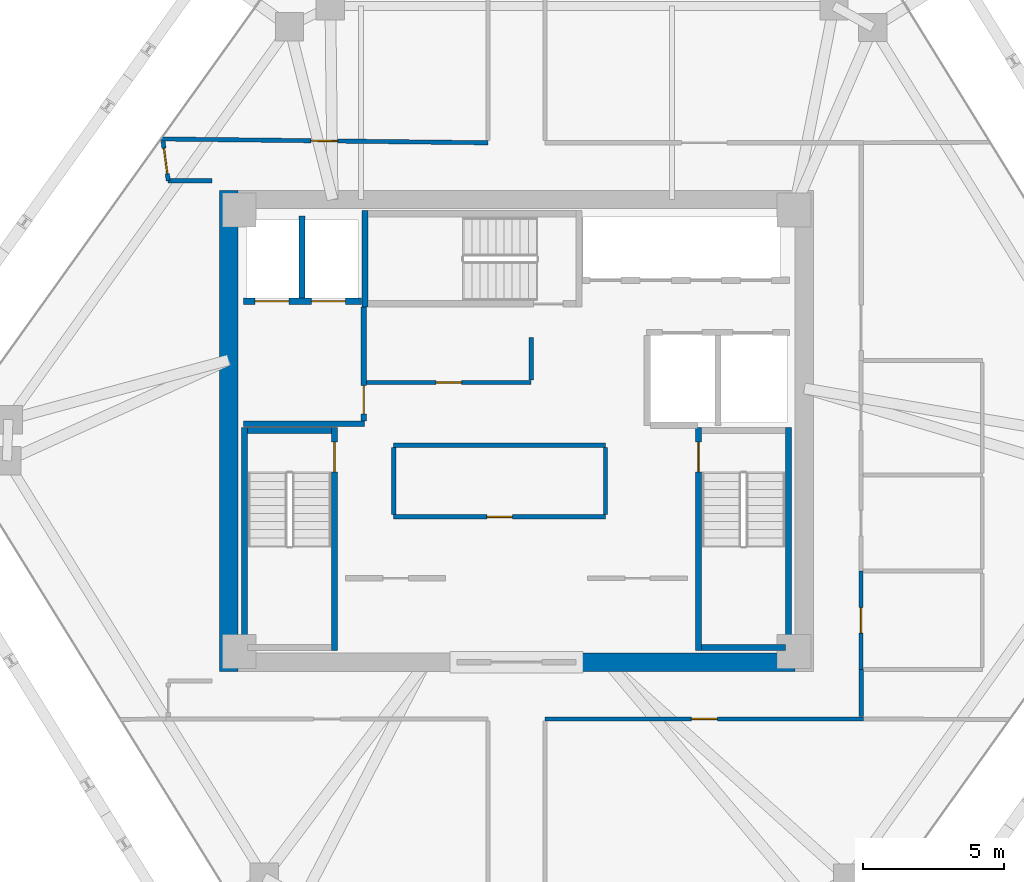
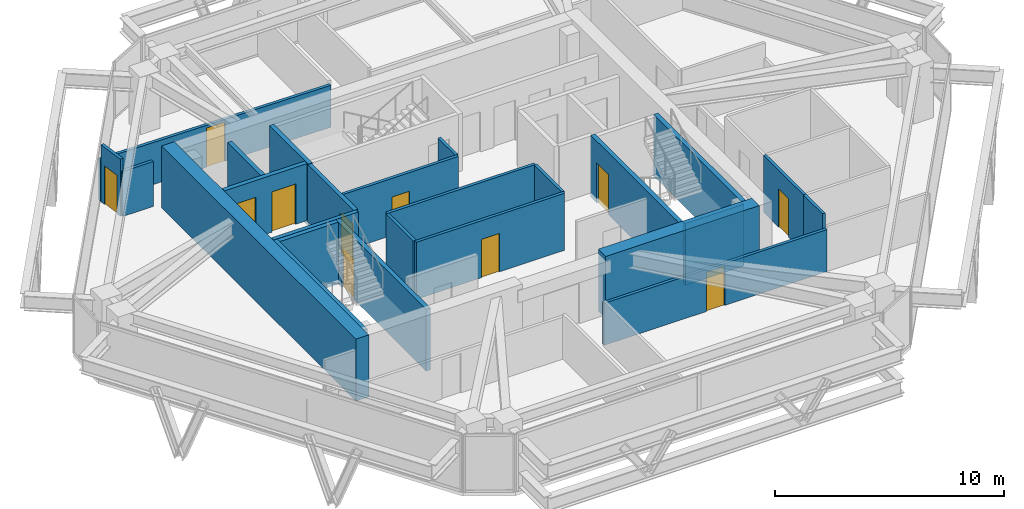
# One storey, part 8 of 11: 25 walls, 11 doors, 11 openings.
"""IFC4 building model written with IfcOpenShell, lengths in metres."""

from ifc_helpers import new_model, si_unit, direction, frame, frame_2d, origin, place, context, subcontext, project, spatial, rectangle, extrude, source, transform, mapped, material, layer, layer_set, type_object, type_shapes, element, fill, save


model = new_model("IFC4")

# Units and contexts
model_context = context("Model", 3, precision=1e-05, world=origin(), true_north=direction((0.0, 1.0)))
body_context = subcontext(model_context, "Body", "Model", "MODEL_VIEW")
ifc_project = project(units=[si_unit("LENGTHUNIT", "METRE"), si_unit("AREAUNIT", "SQUARE_METRE"), si_unit("VOLUMEUNIT", "CUBIC_METRE"), si_unit("PLANEANGLEUNIT", "RADIAN"), si_unit("MASSUNIT", "GRAM", prefix="KILO")], contexts=[model_context])

# Site, building, storey
site_placement = place(None, origin())
site = spatial("IfcSite", under=ifc_project, at=site_placement, CompositionType="ELEMENT")
building_placement = place(site_placement, origin())
building = spatial("IfcBuilding", under=site, at=building_placement, Name="Durnholm Broadcast Tower", CompositionType="ELEMENT")
storey_placement = place(building_placement, frame((0.0, 0.0, 170.5)))
storey = spatial("IfcBuildingStorey", under=building, at=storey_placement, Name="L46", CompositionType="ELEMENT", Elevation=170.5)

# Walls
ifc_material_1 = material(Name="Concrete C70/85", Category="concrete")
ifc_layer_1 = layer(ifc_material_1, 0.64990234375)
ifc_layer_set_1 = layer_set([ifc_layer_1], Name="Concrete C70/85")
wall_type_1 = type_object("IfcWallType", Name="WALL-CW-650", PredefinedType="SHEAR", material=ifc_layer_set_1)
wall_1_placement = place(storey_placement, frame((-10.175048828125, -8.5, 0.0), z_axis=(0.0, 0.0, 1.0), x_axis=(0.0, 1.0, 0.0)))
element("IfcWall", 1, at=wall_1_placement, inside=storey, type_object=wall_type_1, Name="L46 central core shear wall CW-WEST", PredefinedType="SHEAR", context=body_context, shape_type="SweptSolid", body=[
    extrude(rectangle(XDim=17.0, YDim=0.64990234375, at=frame_2d((8.5, 0.0))), origin(), (0.0, 0.0, 1.0), 3.300048828125),
])
wall_2_placement = place(storey_placement, frame((2.10009765625, -8.175048828125, 0.0), z_axis=(0.0, 0.0, 1.0), x_axis=(1.0, 0.0, 0.0)))
element("IfcWall", 2, at=wall_2_placement, inside=storey, type_object=wall_type_1, Name="L46 central core shear wall CW-S2", PredefinedType="SHEAR", context=body_context, shape_type="SweptSolid", body=[
    extrude(rectangle(XDim=7.75, YDim=0.64990234375, at=frame_2d((3.875, 0.0))), origin(), (0.0, 0.0, 1.0), 3.300048828125),
])
ifc_material_2 = material(Name="Fire-Rated Gypsum Shaftwall", Category="concrete")
ifc_layer_2 = layer(ifc_material_2, 0.199951171875)
ifc_layer_set_2 = layer_set([ifc_layer_2], Name="Fire-Rated Gypsum Shaftwall")
wall_type_2 = type_object("IfcWallType", Name="WALL-LOB-200", PredefinedType="SOLIDWALL", material=ifc_layer_set_2)
wall_3_placement = place(storey_placement, frame((-9.64990234375, 0.25, 0.0), z_axis=(0.0, 0.0, 1.0), x_axis=(1.0, 0.0, 0.0)))
element("IfcWall", 3, at=wall_3_placement, inside=storey, type_object=wall_type_2, Name="L46 Fire Service Access Elevator lobby south wall", PredefinedType="SOLIDWALL", context=body_context, shape_type="SweptSolid", body=[
    extrude(rectangle(XDim=4.27001953125, YDim=0.199951171875, at=frame_2d((2.135009765625, 0.0))), origin(), (0.0, 0.0, 1.0), 3.044921875),
])

# Wall, opening, door
wall_4_placement = place(storey_placement, frame((-5.39990234375, 0.35400390625, 0.0), z_axis=(0.0, 0.0, 1.0), x_axis=(0.0, 1.0, 0.0)))
wall_4 = element("IfcWall", 4, at=wall_4_placement, inside=storey, type_object=wall_type_2, Name="L46 Fire Service Access Elevator lobby east fire wall", PredefinedType="SOLIDWALL", context=body_context, shape_type="SweptSolid", body=[
    extrude(rectangle(XDim=4.02587890625, YDim=0.199951171875, at=frame_2d((2.012939453125, 0.0))), origin(), (0.0, 0.0, 1.0), 3.044921875),
])
opening_1_placement = place(wall_4_placement, frame((0.24609375, 0.0, 0.0)))
opening_1 = element("IfcOpeningElement", 5, at=opening_1_placement, cuts=wall_4, Name="Opening DL-60L", PredefinedType="OPENING", context=body_context, shape_type="SweptSolid", body=[
    extrude(rectangle(XDim=1.0, YDim=2.14990234375, at=frame_2d((0.5, 1.074951171875))), frame((0.0, 0.10986328125, 0.0), z_axis=(0.0, -1.0, 0.0), x_axis=(1.0, 0.0, 0.0)), (0.0, 0.0, 1.0), 0.219970703125),
])
ifc_material_3 = material(Name="Fire-Rated Timber/Steel Door", Category="steel")
ifc_layer_3 = layer(ifc_material_3, 0.050048828125)
ifc_layer_set_3 = layer_set([ifc_layer_3], Name="Fire-Rated Timber/Steel Door")
door_type_1 = type_object("IfcDoorType", Name="DOOR-LOB-FD60-L", OperationType="NOTDEFINED", PredefinedType="DOOR", material=ifc_layer_set_3)
shared_shape_1 = source(origin(), body_context, "Body", "SweptSolid", [
    extrude(rectangle(XDim=1.0, YDim=2.14990234375, at=frame_2d((0.5, 1.074951171875))), frame((0.0, 0.02490234375, 0.0), z_axis=(0.0, -1.0, 0.0), x_axis=(1.0, 0.0, 0.0)), (0.0, 0.0, 1.0), 0.050048828125),
])
type_shapes(door_type_1, [shared_shape_1])
door_1_placement = place(opening_1_placement, origin())
door_1 = element("IfcDoor", 6, at=door_1_placement, inside=storey, type_object=door_type_1, Name="L46 Fire Service Access Elevator lobby smoke door", OperationType="SINGLE_SWING_LEFT", OverallHeight=2.14990234375, OverallWidth=1.0, PredefinedType="DOOR", context=body_context, shape_type="MappedRepresentation", body=[
    mapped(shared_shape_1, transform((0.0, 0.0, 0.0), x_axis=(1.0, 0.0, 0.0), y_axis=(0.0, 1.0, 0.0), z_axis=(0.0, 0.0, 1.0), scale=1.0)),
])
fill(opening_1, door_1)

ifc_material_4 = material(Name="Acoustic Gypsum Stud Partition", Category="concrete")
ifc_layer_4 = layer(ifc_material_4, 0.14990234375)
ifc_layer_set_4 = layer_set([ifc_layer_4], Name="Acoustic Gypsum Stud Partition")
wall_type_3 = type_object("IfcWallType", Name="WALL-PART-150", PredefinedType="PARTITIONING", material=ifc_layer_set_4)
wall_5_placement = place(storey_placement, frame((3.139892578125, -3.0400390625, 0.0), z_axis=(0.0, 0.0, 1.0), x_axis=(-1.0, 0.0, 0.0)))
wall_5 = element("IfcWall", 7, at=wall_5_placement, inside=storey, type_object=wall_type_3, Name="L46 Broadcast Equipment Pantry corridor partition", PredefinedType="PARTITIONING", context=body_context, shape_type="SweptSolid", body=[
    extrude(rectangle(XDim=7.47998046875, YDim=0.14990234375, at=frame_2d((3.739990234375, 0.0))), origin(), (0.0, 0.0, 1.0), 3.044921875),
])
opening_2_placement = place(wall_5_placement, frame((3.2900390625, 0.0, 0.0)))
opening_2 = element("IfcOpeningElement", 8, at=opening_2_placement, cuts=wall_5, Name="Opening DC-60R", PredefinedType="OPENING", context=body_context, shape_type="SweptSolid", body=[
    extrude(rectangle(XDim=0.89990234375, YDim=2.050048828125, at=frame_2d((0.449951171875, 1.02490234375))), frame((0.0, 0.0849609375, 0.0), z_axis=(0.0, -1.0, 0.0), x_axis=(1.0, 0.0, 0.0)), (0.0, 0.0, 1.0), 0.169921875),
])
ifc_material_5 = material(Name="Fire-Rated Core Service Door", Category="steel")
ifc_layer_5 = layer(ifc_material_5, 0.050048828125)
ifc_layer_set_5 = layer_set([ifc_layer_5], Name="Fire-Rated Core Service Door")
door_type_2 = type_object("IfcDoorType", Name="DOOR-CORE-FD60-R", OperationType="NOTDEFINED", PredefinedType="DOOR", material=ifc_layer_set_5)
shared_shape_2 = source(origin(), body_context, "Body", "SweptSolid", [
    extrude(rectangle(XDim=0.89990234375, YDim=2.050048828125, at=frame_2d((0.449951171875, 1.02490234375))), frame((0.0, 0.02490234375, 0.0), z_axis=(0.0, -1.0, 0.0), x_axis=(1.0, 0.0, 0.0)), (0.0, 0.0, 1.0), 0.050048828125),
])
type_shapes(door_type_2, [shared_shape_2])
door_2_placement = place(opening_2_placement, origin())
door_2 = element("IfcDoor", 9, at=door_2_placement, inside=storey, type_object=door_type_2, Name="L46 Broadcast Equipment Pantry entrance door", OperationType="SINGLE_SWING_RIGHT", OverallHeight=2.050048828125, OverallWidth=0.89990234375, PredefinedType="DOOR", context=body_context, shape_type="MappedRepresentation", body=[
    mapped(shared_shape_2, transform((0.0, 0.0, 0.0), x_axis=(1.0, 0.0, 0.0), y_axis=(0.0, 1.0, 0.0), z_axis=(0.0, 0.0, 1.0), scale=1.0)),
])
fill(opening_2, door_2)

# Walls
wall_6_placement = place(storey_placement, frame((-4.340087890625, -0.510009765625, 0.0), z_axis=(0.0, 0.0, 1.0), x_axis=(1.0, 0.0, 0.0)))
element("IfcWall", 10, at=wall_6_placement, inside=storey, type_object=wall_type_3, Name="L46 Broadcast Equipment Pantry corridor partition", PredefinedType="PARTITIONING", context=body_context, shape_type="SweptSolid", body=[
    extrude(rectangle(XDim=7.47998046875, YDim=0.14990234375, at=frame_2d((3.739990234375, 0.0))), origin(), (0.0, 0.0, 1.0), 3.044921875),
])
for number, where, z_axis, x_axis, name in (
    (11, (-4.340087890625, -2.9609375, 0.0), (0.0, 0.0, 1.0), (0.0, 1.0, 0.0), "L46 Broadcast Equipment Pantry corridor partition"),
    (12, (3.139892578125, -0.589111328125, 0.0), (0.0, 0.0, 1.0), (0.0, -1.0, 0.0), "L46 Broadcast Equipment Pantry corridor partition"),
):
    element("IfcWall", number, at=place(storey_placement, frame(where, z_axis=z_axis, x_axis=x_axis)), inside=storey, type_object=wall_type_3, Name=name, PredefinedType="PARTITIONING", context=body_context, shape_type="SweptSolid", body=[
        extrude(rectangle(XDim=2.371826171875, YDim=0.14990234375, at=frame_2d((1.18603515625, 0.0))), origin(), (0.0, 0.0, 1.0), 3.044921875),
    ])

# Wall, opening, door
wall_7_placement = place(storey_placement, frame((0.52001953125, 1.7099609375, 0.0), z_axis=(0.0, 0.0, 1.0), x_axis=(-1.0, 0.0, 0.0)))
wall_7 = element("IfcWall", 13, at=wall_7_placement, inside=storey, type_object=wall_type_3, Name="L46 Core Housekeeping Room corridor partition", PredefinedType="PARTITIONING", context=body_context, shape_type="SweptSolid", body=[
    extrude(rectangle(XDim=5.81591796875, YDim=0.14990234375, at=frame_2d((2.907958984375, 0.0))), origin(), (0.0, 0.0, 1.0), 3.044921875),
])
opening_3_placement = place(wall_7_placement, frame((2.4580078125, 0.0, 0.0)))
opening_3 = element("IfcOpeningElement", 14, at=opening_3_placement, cuts=wall_7, Name="Opening DC-60L", PredefinedType="OPENING", context=body_context, shape_type="SweptSolid", body=[
    extrude(rectangle(XDim=0.89990234375, YDim=2.050048828125, at=frame_2d((0.449951171875, 1.02490234375))), frame((0.0, 0.0849609375, 0.0), z_axis=(0.0, -1.0, 0.0), x_axis=(1.0, 0.0, 0.0)), (0.0, 0.0, 1.0), 0.169921875),
])
ifc_layer_6 = layer(ifc_material_5, 0.050048828125)
ifc_layer_set_6 = layer_set([ifc_layer_6], Name="Fire-Rated Core Service Door")
door_type_3 = type_object("IfcDoorType", Name="DOOR-CORE-FD60-L", OperationType="NOTDEFINED", PredefinedType="DOOR", material=ifc_layer_set_6)
shared_shape_3 = source(origin(), body_context, "Body", "SweptSolid", [
    extrude(rectangle(XDim=0.89990234375, YDim=2.050048828125, at=frame_2d((0.449951171875, 1.02490234375))), frame((0.0, 0.02490234375, 0.0), z_axis=(0.0, -1.0, 0.0), x_axis=(1.0, 0.0, 0.0)), (0.0, 0.0, 1.0), 0.050048828125),
])
type_shapes(door_type_3, [shared_shape_3])
door_3_placement = place(opening_3_placement, origin())
door_3 = element("IfcDoor", 15, at=door_3_placement, inside=storey, type_object=door_type_3, Name="L46 Core Housekeeping Room entrance door", OperationType="SINGLE_SWING_LEFT", OverallHeight=2.050048828125, OverallWidth=0.89990234375, PredefinedType="DOOR", context=body_context, shape_type="MappedRepresentation", body=[
    mapped(shared_shape_3, transform((0.0, 0.0, 0.0), x_axis=(1.0, 0.0, 0.0), y_axis=(0.0, 1.0, 0.0), z_axis=(0.0, 0.0, 1.0), scale=1.0)),
])
fill(opening_3, door_3)

# Wall
wall_8_placement = place(storey_placement, frame((0.52001953125, 3.300048828125, 0.0), z_axis=(0.0, 0.0, 1.0), x_axis=(0.0, -1.0, 0.0)))
element("IfcWall", 16, at=wall_8_placement, inside=storey, type_object=wall_type_3, Name="L46 Core Housekeeping Room corridor partition", PredefinedType="PARTITIONING", context=body_context, shape_type="SweptSolid", body=[
    extrude(rectangle(XDim=1.510986328125, YDim=0.14990234375, at=frame_2d((0.75537109375, 0.0))), origin(), (0.0, 0.0, 1.0), 3.044921875),
])

# Wall, opening, door
wall_9_placement = place(storey_placement, frame((-1.010009765625, 10.179931640625, 0.0), z_axis=(0.0, 0.0, 1.0), x_axis=(-0.999931176304, 0.011732120664, 0.0)))
wall_9 = element("IfcWall", 17, at=wall_9_placement, inside=storey, type_object=wall_type_3, Name="L46 Open Plan Broadcast Workspace 2 corridor partition", PredefinedType="PARTITIONING", context=body_context, shape_type="SweptSolid", body=[
    extrude(rectangle(XDim=11.570068359375, YDim=0.14990234375, at=frame_2d((5.78515625, 0.0))), origin(), (0.0, 0.0, 1.0), 2.24169921875),
])
opening_4_placement = place(wall_9_placement, frame((5.31005859375, 0.0, 0.0)))
opening_4 = element("IfcOpeningElement", 18, at=opening_4_placement, cuts=wall_9, Name="Opening DR-95L", PredefinedType="OPENING", context=body_context, shape_type="SweptSolid", body=[
    extrude(rectangle(XDim=0.949951171875, YDim=2.10009765625, at=frame_2d((0.47509765625, 1.050048828125))), frame((0.0, 0.0849609375, 0.0), z_axis=(0.0, -1.0, 0.0), x_axis=(1.0, 0.0, 0.0)), (0.0, 0.0, 1.0), 0.169921875),
])
ifc_material_6 = material(Name="Acoustic Oak Veneer Timber Door", Category="wood")
ifc_layer_7 = layer(ifc_material_6, 0.050048828125)
ifc_layer_set_7 = layer_set([ifc_layer_7], Name="Acoustic Oak Veneer Timber Door")
door_type_4 = type_object("IfcDoorType", Name="DOOR-RM-950L", OperationType="NOTDEFINED", PredefinedType="DOOR", material=ifc_layer_set_7)
shared_shape_4 = source(origin(), body_context, "Body", "SweptSolid", [
    extrude(rectangle(XDim=0.949951171875, YDim=2.10009765625, at=frame_2d((0.47509765625, 1.050048828125))), frame((0.0, 0.02490234375, 0.0), z_axis=(0.0, -1.0, 0.0), x_axis=(1.0, 0.0, 0.0)), (0.0, 0.0, 1.0), 0.050048828125),
])
type_shapes(door_type_4, [shared_shape_4])
door_4_placement = place(opening_4_placement, origin())
door_4 = element("IfcDoor", 19, at=door_4_placement, inside=storey, type_object=door_type_4, Name="L46 Open Plan Broadcast Workspace 2 entrance door", OperationType="SINGLE_SWING_LEFT", OverallHeight=2.10009765625, OverallWidth=0.949951171875, PredefinedType="DOOR", context=body_context, shape_type="MappedRepresentation", body=[
    mapped(shared_shape_4, transform((0.0, 0.0, 0.0), x_axis=(1.0, 0.0, 0.0), y_axis=(0.0, 1.0, 0.0), z_axis=(0.0, 0.0, 1.0), scale=1.0)),
])
fill(opening_4, door_4)

wall_10_placement = place(storey_placement, frame((1.010009765625, -10.179931640625, 0.0), z_axis=(0.0, 0.0, 1.0), x_axis=(1.0, 0.0, 0.0)))
wall_10 = element("IfcWall", 20, at=wall_10_placement, inside=storey, type_object=wall_type_3, Name="L46 Lab Catering Kitchen corridor partition", PredefinedType="PARTITIONING", context=body_context, shape_type="SweptSolid", body=[
    extrude(rectangle(XDim=11.25, YDim=0.14990234375, at=frame_2d((5.625, 0.0))), origin(), (0.0, 0.0, 1.0), 2.24169921875),
])
opening_5_placement = place(wall_10_placement, frame((5.1650390625, 0.0, 0.0)))
opening_5 = element("IfcOpeningElement", 21, at=opening_5_placement, cuts=wall_10, Name="Opening DR-92R", PredefinedType="OPENING", context=body_context, shape_type="SweptSolid", body=[
    extrude(rectangle(XDim=0.919921875, YDim=2.10009765625, at=frame_2d((0.4599609375, 1.050048828125))), frame((0.0, 0.0849609375, 0.0), z_axis=(0.0, -1.0, 0.0), x_axis=(1.0, 0.0, 0.0)), (0.0, 0.0, 1.0), 0.169921875),
])
ifc_material_7 = material(Name="Oak Veneer Office Door", Category="wood")
ifc_layer_8 = layer(ifc_material_7, 0.050048828125)
ifc_layer_set_8 = layer_set([ifc_layer_8], Name="Oak Veneer Office Door")
door_type_5 = type_object("IfcDoorType", Name="DOOR-RM-920R", OperationType="NOTDEFINED", PredefinedType="DOOR", material=ifc_layer_set_8)
shared_shape_5 = source(origin(), body_context, "Body", "SweptSolid", [
    extrude(rectangle(XDim=0.919921875, YDim=2.10009765625, at=frame_2d((0.4599609375, 1.050048828125))), frame((0.0, 0.02490234375, 0.0), z_axis=(0.0, -1.0, 0.0), x_axis=(1.0, 0.0, 0.0)), (0.0, 0.0, 1.0), 0.050048828125),
])
type_shapes(door_type_5, [shared_shape_5])
door_5_placement = place(opening_5_placement, origin())
door_5 = element("IfcDoor", 22, at=door_5_placement, inside=storey, type_object=door_type_5, Name="L46 Lab Catering Kitchen entrance door", OperationType="SINGLE_SWING_RIGHT", OverallHeight=2.10009765625, OverallWidth=0.919921875, PredefinedType="DOOR", context=body_context, shape_type="MappedRepresentation", body=[
    mapped(shared_shape_5, transform((0.0, 0.0, 0.0), x_axis=(1.0, 0.0, 0.0), y_axis=(0.0, 1.0, 0.0), z_axis=(0.0, 0.0, 1.0), scale=1.0)),
])
fill(opening_5, door_5)

# Wall
wall_11_placement = place(storey_placement, frame((-12.31005859375, 8.840087890625, 0.0), z_axis=(0.0, 0.0, 1.0), x_axis=(1.0, 0.0, 0.0)))
element("IfcWall", 23, at=wall_11_placement, inside=storey, type_object=wall_type_3, Name="L46 Digital Media Hall corridor partition", PredefinedType="PARTITIONING", context=body_context, shape_type="SweptSolid", body=[
    extrude(rectangle(XDim=1.550048828125, YDim=0.14990234375, at=frame_2d((0.77490234375, 0.0))), origin(), (0.0, 0.0, 1.0), 2.398681640625),
])

# Wall, opening, door
wall_12_placement = place(storey_placement, frame((-12.4921875, 10.235595703125, 0.0), z_axis=(0.0, 0.0, 1.0), x_axis=(0.129413346452, -0.991590735011, 0.0)))
wall_12 = element("IfcWall", 24, at=wall_12_placement, inside=storey, type_object=wall_type_3, Name="L46 Digital Media Hall corridor partition", PredefinedType="PARTITIONING", context=body_context, shape_type="SweptSolid", body=[
    extrude(rectangle(XDim=1.4072265625, YDim=0.14990234375, at=frame_2d((0.70361328125, 0.0))), origin(), (0.0, 0.0, 1.0), 3.044921875),
])
opening_6_placement = place(wall_12_placement, frame((0.253662109375, 0.0, 0.0)))
opening_6 = element("IfcOpeningElement", 25, at=opening_6_placement, cuts=wall_12, Name="Opening DW-90R", PredefinedType="OPENING", context=body_context, shape_type="SweptSolid", body=[
    extrude(rectangle(XDim=0.89990234375, YDim=2.050048828125, at=frame_2d((0.449951171875, 1.02490234375))), frame((0.0, 0.0849609375, 0.0), z_axis=(0.0, -1.0, 0.0), x_axis=(1.0, 0.0, 0.0)), (0.0, 0.0, 1.0), 0.169921875),
])
ifc_material_8 = material(Name="Laminate Restroom Door", Category="steel")
ifc_layer_9 = layer(ifc_material_8, 0.050048828125)
ifc_layer_set_9 = layer_set([ifc_layer_9], Name="Laminate Restroom Door")
door_type_6 = type_object("IfcDoorType", Name="DOOR-WC-900R", OperationType="NOTDEFINED", PredefinedType="DOOR", material=ifc_layer_set_9)
shared_shape_6 = source(origin(), body_context, "Body", "SweptSolid", [
    extrude(rectangle(XDim=0.89990234375, YDim=2.050048828125, at=frame_2d((0.449951171875, 1.02490234375))), frame((0.0, 0.02490234375, 0.0), z_axis=(0.0, -1.0, 0.0), x_axis=(1.0, 0.0, 0.0)), (0.0, 0.0, 1.0), 0.050048828125),
])
type_shapes(door_type_6, [shared_shape_6])
door_6_placement = place(opening_6_placement, origin())
door_6 = element("IfcDoor", 26, at=door_6_placement, inside=storey, type_object=door_type_6, Name="L46 Digital Media Hall entrance door", OperationType="SINGLE_SWING_RIGHT", OverallHeight=2.050048828125, OverallWidth=0.89990234375, PredefinedType="DOOR", context=body_context, shape_type="MappedRepresentation", body=[
    mapped(shared_shape_6, transform((0.0, 0.0, 0.0), x_axis=(1.0, 0.0, 0.0), y_axis=(0.0, 1.0, 0.0), z_axis=(0.0, 0.0, 1.0), scale=1.0)),
])
fill(opening_6, door_6)

# Wall
wall_13_placement = place(storey_placement, frame((12.179931640625, -10.10107421875, 0.0), z_axis=(0.0, 0.0, 1.0), x_axis=(0.0, 1.0, 0.0)))
element("IfcWall", 27, at=wall_13_placement, inside=storey, type_object=wall_type_3, Name="L46 Immersive Audio Auditorium corridor partition", PredefinedType="PARTITIONING", context=body_context, shape_type="SweptSolid", body=[
    extrude(rectangle(XDim=1.6611328125, YDim=0.14990234375, at=frame_2d((0.83056640625, 0.0))), origin(), (0.0, 0.0, 1.0), 3.044921875),
])

# Wall, openings, doors
ifc_material_9 = material(Name="Concrete Blockwork C30/37", Category="masonry")
ifc_layer_10 = layer(ifc_material_9, 0.219970703125)
ifc_layer_set_10 = layer_set([ifc_layer_10], Name="Concrete Blockwork C30/37")
wall_type_4 = type_object("IfcWallType", Name="WALL-SHAFT-220", PredefinedType="SOLIDWALL", material=ifc_layer_set_10)
wall_14_placement = place(storey_placement, frame((-9.64990234375, 4.580078125, 0.0), z_axis=(0.0, 0.0, 1.0), x_axis=(1.0, 0.0, 0.0)))
wall_14 = element("IfcWall", 28, at=wall_14_placement, inside=storey, type_object=wall_type_4, Name="L46 FSAE hoistway front fire wall", PredefinedType="SOLIDWALL", context=body_context, shape_type="SweptSolid", body=[
    extrude(rectangle(XDim=4.1748046875, YDim=0.219970703125, at=frame_2d((2.08740234375, 0.0))), origin(), (0.0, 0.0, 1.0), 3.044921875),
])
opening_7_placement = place(wall_14_placement, frame((0.39990234375, 0.0, 0.0)))
opening_7 = element("IfcOpeningElement", 29, at=opening_7_placement, cuts=wall_14, Name="Opening LD-FSAE-2", PredefinedType="OPENING", context=body_context, shape_type="SweptSolid", body=[
    extrude(rectangle(XDim=1.199951171875, YDim=2.14990234375, at=frame_2d((0.60009765625, 1.074951171875))), frame((0.0, 0.1201171875, 0.0), z_axis=(0.0, -1.0, 0.0), x_axis=(1.0, 0.0, 0.0)), (0.0, 0.0, 1.0), 0.239990234375),
])
opening_8_placement = place(wall_14_placement, frame((2.39990234375, 0.0, 0.0)))
opening_8 = element("IfcOpeningElement", 30, at=opening_8_placement, cuts=wall_14, Name="Opening LD-FSAE-1", PredefinedType="OPENING", context=body_context, shape_type="SweptSolid", body=[
    extrude(rectangle(XDim=1.199951171875, YDim=2.14990234375, at=frame_2d((0.60009765625, 1.074951171875))), frame((0.0, 0.1201171875, 0.0), z_axis=(0.0, -1.0, 0.0), x_axis=(1.0, 0.0, 0.0)), (0.0, 0.0, 1.0), 0.239990234375),
])
ifc_material_10 = material(Name="Fire Service Access Sliding Landing Door", Category="steel")
ifc_layer_11 = layer(ifc_material_10, 0.050048828125)
ifc_layer_set_11 = layer_set([ifc_layer_11], Name="Fire Service Access Sliding Landing Door")
door_type_7 = type_object("IfcDoorType", Name="DOOR-LIFT-FSAE", OperationType="DOUBLE_DOOR_SLIDING", PredefinedType="DOOR", material=ifc_layer_set_11)
shared_shape_7 = source(origin(), body_context, "Body", "SweptSolid", [
    extrude(rectangle(XDim=1.199951171875, YDim=2.14990234375, at=frame_2d((0.60009765625, 1.074951171875))), frame((0.0, 0.02490234375, 0.0), z_axis=(0.0, -1.0, 0.0), x_axis=(1.0, 0.0, 0.0)), (0.0, 0.0, 1.0), 0.050048828125),
])
type_shapes(door_type_7, [shared_shape_7])
door_7_placement = place(opening_7_placement, origin())
door_7 = element("IfcDoor", 31, at=door_7_placement, inside=storey, type_object=door_type_7, Name="L46 Fire Service Access Elevator FSAE-2 sliding landing door", OperationType="DOUBLE_DOOR_SLIDING", OverallHeight=2.14990234375, OverallWidth=1.199951171875, PredefinedType="DOOR", context=body_context, shape_type="MappedRepresentation", body=[
    mapped(shared_shape_7, transform((0.0, 0.0, 0.0), x_axis=(1.0, 0.0, 0.0), y_axis=(0.0, 1.0, 0.0), z_axis=(0.0, 0.0, 1.0), scale=1.0)),
])
fill(opening_7, door_7)
door_8_placement = place(opening_8_placement, origin())
door_8 = element("IfcDoor", 32, at=door_8_placement, inside=storey, type_object=door_type_7, Name="L46 Fire Service Access Elevator FSAE-1 sliding landing door", OperationType="DOUBLE_DOOR_SLIDING", OverallHeight=2.14990234375, OverallWidth=1.199951171875, PredefinedType="DOOR", context=body_context, shape_type="MappedRepresentation", body=[
    mapped(shared_shape_7, transform((0.0, 0.0, 0.0), x_axis=(1.0, 0.0, 0.0), y_axis=(0.0, 1.0, 0.0), z_axis=(0.0, 0.0, 1.0), scale=1.0)),
])
fill(opening_8, door_8)

# Wall
wall_15_placement = place(storey_placement, frame((-7.580078125, 4.694091796875, 0.0), z_axis=(0.0, 0.0, 1.0), x_axis=(0.0, 1.0, 0.0)))
element("IfcWall", 33, at=wall_15_placement, inside=storey, type_object=wall_type_4, Name="L46 FSAE shaft divider wall", PredefinedType="SOLIDWALL", context=body_context, shape_type="SweptSolid", body=[
    extrude(rectangle(XDim=2.906005859375, YDim=0.219970703125, at=frame_2d((1.453125, 0.0))), origin(), (0.0, 0.0, 1.0), 3.044921875),
])

# Wall, opening, door
ifc_material_11 = material(Name="Concrete C50/60", Category="concrete")
ifc_layer_12 = layer(ifc_material_11, 0.219970703125)
ifc_layer_set_12 = layer_set([ifc_layer_12], Name="Concrete C50/60")
wall_type_5 = type_object("IfcWallType", Name="WALL-SW-220", PredefinedType="SHEAR", material=ifc_layer_set_12)
wall_16_placement = place(storey_placement, frame((-6.429931640625, -7.77001953125, -0.239990234375), z_axis=(0.0, 0.0, 1.0), x_axis=(0.0, 1.0, 0.0)))
wall_16 = element("IfcWall", 34, at=wall_16_placement, inside=storey, type_object=wall_type_5, Name="L46 stair ST-1 structural shaft wall E", PredefinedType="SHEAR", context=body_context, shape_type="SweptSolid", body=[
    extrude(rectangle(XDim=7.89013671875, YDim=0.219970703125, at=frame_2d((3.945068359375, 0.0))), origin(), (0.0, 0.0, 1.0), 3.300048828125),
])
opening_9_placement = place(wall_16_placement, frame((6.320068359375, 0.0, 0.0)))
opening_9 = element("IfcOpeningElement", 35, at=opening_9_placement, cuts=wall_16, Name="Opening DS-90L", PredefinedType="OPENING", context=body_context, shape_type="SweptSolid", body=[
    extrude(rectangle(XDim=1.050048828125, YDim=2.14990234375, at=frame_2d((0.52490234375, 1.074951171875))), frame((0.0, 0.1201171875, 0.0), z_axis=(0.0, -1.0, 0.0), x_axis=(1.0, 0.0, 0.0)), (0.0, 0.0, 1.0), 0.239990234375),
])
ifc_material_12 = material(Name="Fire-Rated Steel Door", Category="steel")
ifc_layer_13 = layer(ifc_material_12, 0.050048828125)
ifc_layer_set_13 = layer_set([ifc_layer_13], Name="Fire-Rated Steel Door")
door_type_8 = type_object("IfcDoorType", Name="DOOR-ST-FD90-L", OperationType="NOTDEFINED", PredefinedType="DOOR", material=ifc_layer_set_13)
shared_shape_8 = source(origin(), body_context, "Body", "SweptSolid", [
    extrude(rectangle(XDim=1.050048828125, YDim=2.14990234375, at=frame_2d((0.52490234375, 1.074951171875))), frame((0.0, 0.02490234375, 0.0), z_axis=(0.0, -1.0, 0.0), x_axis=(1.0, 0.0, 0.0)), (0.0, 0.0, 1.0), 0.050048828125),
])
type_shapes(door_type_8, [shared_shape_8])
door_9_placement = place(opening_9_placement, origin())
door_9 = element("IfcDoor", 36, at=door_9_placement, inside=storey, type_object=door_type_8, Name="L46 exit stair ST-1 fire door", OperationType="SINGLE_SWING_LEFT", OverallHeight=2.14990234375, OverallWidth=1.050048828125, PredefinedType="DOOR", context=body_context, shape_type="MappedRepresentation", body=[
    mapped(shared_shape_8, transform((0.0, 0.0, 0.0), x_axis=(1.0, 0.0, 0.0), y_axis=(0.0, 1.0, 0.0), z_axis=(0.0, 0.0, 1.0), scale=1.0)),
])
fill(opening_9, door_9)

# Walls
wall_17_placement = place(storey_placement, frame((-9.610107421875, 0.1201171875, -0.239990234375), z_axis=(0.0, 0.0, 1.0), x_axis=(0.0, -1.0, 0.0)))
element("IfcWall", 37, at=wall_17_placement, inside=storey, type_object=wall_type_5, Name="L46 stair ST-1 structural shaft wall W", PredefinedType="SHEAR", context=body_context, shape_type="SweptSolid", body=[
    extrude(rectangle(XDim=7.89013671875, YDim=0.219970703125, at=frame_2d((3.945068359375, 0.0))), origin(), (0.0, 0.0, 1.0), 3.300048828125),
])
wall_18_placement = place(storey_placement, frame((-6.5400390625, 0.010009765625, -0.239990234375), z_axis=(0.0, 0.0, 1.0), x_axis=(-1.0, 0.0, 0.0)))
element("IfcWall", 38, at=wall_18_placement, inside=storey, type_object=wall_type_5, Name="L46 stair ST-1 structural shaft wall N", PredefinedType="SHEAR", context=body_context, shape_type="SweptSolid", body=[
    extrude(rectangle(XDim=2.9599609375, YDim=0.219970703125, at=frame_2d((1.47998046875, 0.0))), origin(), (0.0, 0.0, 1.0), 3.300048828125),
])
wall_19_placement = place(storey_placement, frame((9.610107421875, -7.77001953125, -0.239990234375), z_axis=(0.0, 0.0, 1.0), x_axis=(0.0, 1.0, 0.0)))
element("IfcWall", 39, at=wall_19_placement, inside=storey, type_object=wall_type_5, Name="L46 stair ST-2 structural shaft wall E", PredefinedType="SHEAR", context=body_context, shape_type="SweptSolid", body=[
    extrude(rectangle(XDim=7.89013671875, YDim=0.219970703125, at=frame_2d((3.945068359375, 0.0))), origin(), (0.0, 0.0, 1.0), 3.300048828125),
])

# Wall, opening, door
wall_20_placement = place(storey_placement, frame((6.429931640625, 0.1201171875, -0.239990234375), z_axis=(0.0, 0.0, 1.0), x_axis=(0.0, -1.0, 0.0)))
wall_20 = element("IfcWall", 40, at=wall_20_placement, inside=storey, type_object=wall_type_5, Name="L46 stair ST-2 structural shaft wall W", PredefinedType="SHEAR", context=body_context, shape_type="SweptSolid", body=[
    extrude(rectangle(XDim=7.89013671875, YDim=0.219970703125, at=frame_2d((3.945068359375, 0.0))), origin(), (0.0, 0.0, 1.0), 3.300048828125),
])
opening_10_placement = place(wall_20_placement, frame((0.52001953125, 0.0, 0.0)))
opening_10 = element("IfcOpeningElement", 41, at=opening_10_placement, cuts=wall_20, Name="Opening DS-90R", PredefinedType="OPENING", context=body_context, shape_type="SweptSolid", body=[
    extrude(rectangle(XDim=1.050048828125, YDim=2.14990234375, at=frame_2d((0.52490234375, 1.074951171875))), frame((0.0, 0.1201171875, 0.0), z_axis=(0.0, -1.0, 0.0), x_axis=(1.0, 0.0, 0.0)), (0.0, 0.0, 1.0), 0.239990234375),
])
ifc_layer_14 = layer(ifc_material_12, 0.050048828125)
ifc_layer_set_14 = layer_set([ifc_layer_14], Name="Fire-Rated Steel Door")
door_type_9 = type_object("IfcDoorType", Name="DOOR-ST-FD90-R", OperationType="NOTDEFINED", PredefinedType="DOOR", material=ifc_layer_set_14)
shared_shape_9 = source(origin(), body_context, "Body", "SweptSolid", [
    extrude(rectangle(XDim=1.050048828125, YDim=2.14990234375, at=frame_2d((0.52490234375, 1.074951171875))), frame((0.0, 0.02490234375, 0.0), z_axis=(0.0, -1.0, 0.0), x_axis=(1.0, 0.0, 0.0)), (0.0, 0.0, 1.0), 0.050048828125),
])
type_shapes(door_type_9, [shared_shape_9])
door_10_placement = place(opening_10_placement, origin())
door_10 = element("IfcDoor", 42, at=door_10_placement, inside=storey, type_object=door_type_9, Name="L46 exit stair ST-2 fire door", OperationType="SINGLE_SWING_RIGHT", OverallHeight=2.14990234375, OverallWidth=1.050048828125, PredefinedType="DOOR", context=body_context, shape_type="MappedRepresentation", body=[
    mapped(shared_shape_9, transform((0.0, 0.0, 0.0), x_axis=(1.0, 0.0, 0.0), y_axis=(0.0, 1.0, 0.0), z_axis=(0.0, 0.0, 1.0), scale=1.0)),
])
fill(opening_10, door_10)

# Walls
wall_21_placement = place(storey_placement, frame((6.5400390625, -7.659912109375, -0.239990234375), z_axis=(0.0, 0.0, 1.0), x_axis=(1.0, 0.0, 0.0)))
element("IfcWall", 43, at=wall_21_placement, inside=storey, type_object=wall_type_5, Name="L46 stair ST-2 structural shaft wall S", PredefinedType="SHEAR", context=body_context, shape_type="SweptSolid", body=[
    extrude(rectangle(XDim=2.9599609375, YDim=0.219970703125, at=frame_2d((1.47998046875, 0.0))), origin(), (0.0, 0.0, 1.0), 3.300048828125),
])
wall_22_placement = place(storey_placement, frame((-5.360107421875, 7.780029296875, -0.239990234375), z_axis=(0.0, 0.0, 1.0), x_axis=(0.0, -1.0, 0.0)))
element("IfcWall", 44, at=wall_22_placement, inside=storey, type_object=wall_type_5, Name="L46 stair ST-3 structural shaft wall W", PredefinedType="SHEAR", context=body_context, shape_type="SweptSolid", body=[
    extrude(rectangle(XDim=3.400146484375, YDim=0.219970703125, at=frame_2d((1.7001953125, 0.0))), origin(), (0.0, 0.0, 1.0), 3.300048828125),
])

# Wall, opening, door
ifc_material_13 = material(Name="Moisture-Resistant Tile Partition", Category="concrete")
ifc_layer_15 = layer(ifc_material_13, 0.139892578125)
ifc_layer_set_15 = layer_set([ifc_layer_15], Name="Moisture-Resistant Tile Partition")
wall_type_6 = type_object("IfcWallType", Name="WALL-WC-140", PredefinedType="PARTITIONING", material=ifc_layer_set_15)
wall_23_placement = place(storey_placement, frame((12.179931640625, -8.43994140625, 0.0), z_axis=(0.0, 0.0, 1.0), x_axis=(0.0, 1.0, 0.0)))
wall_23 = element("IfcWall", 45, at=wall_23_placement, inside=storey, type_object=wall_type_6, Name="L46 Men's Restroom corridor partition", PredefinedType="PARTITIONING", context=body_context, shape_type="SweptSolid", body=[
    extrude(rectangle(XDim=3.47998046875, YDim=0.139892578125, at=frame_2d((1.739990234375, 0.0))), origin(), (0.0, 0.0, 1.0), 3.044921875),
])
opening_11_placement = place(wall_23_placement, frame((1.2900390625, 0.0, 0.0)))
opening_11 = element("IfcOpeningElement", 46, at=opening_11_placement, cuts=wall_23, Name="Opening DW-90R", PredefinedType="OPENING", context=body_context, shape_type="SweptSolid", body=[
    extrude(rectangle(XDim=0.89990234375, YDim=2.050048828125, at=frame_2d((0.449951171875, 1.02490234375))), frame((0.0, 0.080078125, 0.0), z_axis=(0.0, -1.0, 0.0), x_axis=(1.0, 0.0, 0.0)), (0.0, 0.0, 1.0), 0.159912109375),
])
door_11_placement = place(opening_11_placement, origin())
door_11 = element("IfcDoor", 47, at=door_11_placement, inside=storey, type_object=door_type_6, Name="L46 Men's Restroom entrance door", OperationType="SINGLE_SWING_RIGHT", OverallHeight=2.050048828125, OverallWidth=0.89990234375, PredefinedType="DOOR", context=body_context, shape_type="MappedRepresentation", body=[
    mapped(shared_shape_6, transform((0.0, 0.0, 0.0), x_axis=(1.0, 0.0, 0.0), y_axis=(0.0, 1.0, 0.0), z_axis=(0.0, 0.0, 1.0), scale=1.0)),
])
fill(opening_11, door_11)

save(model, "model.ifc")
